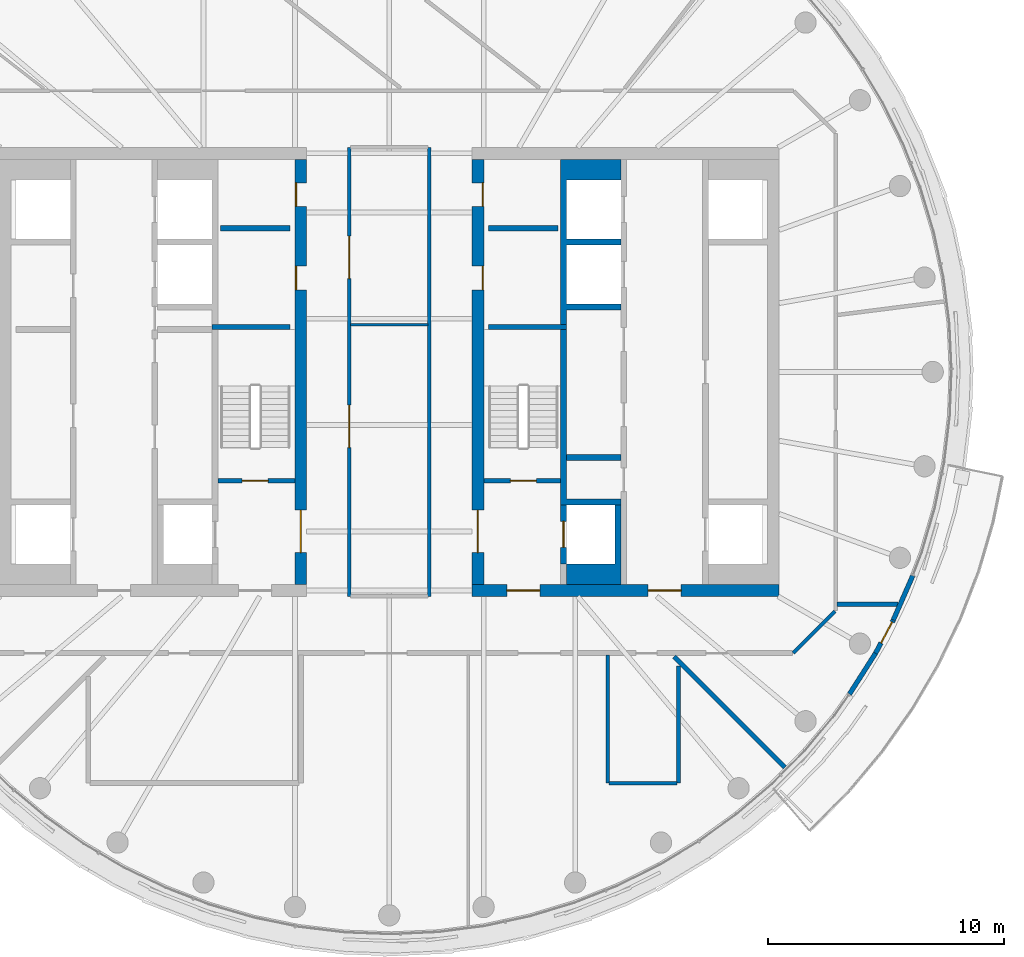
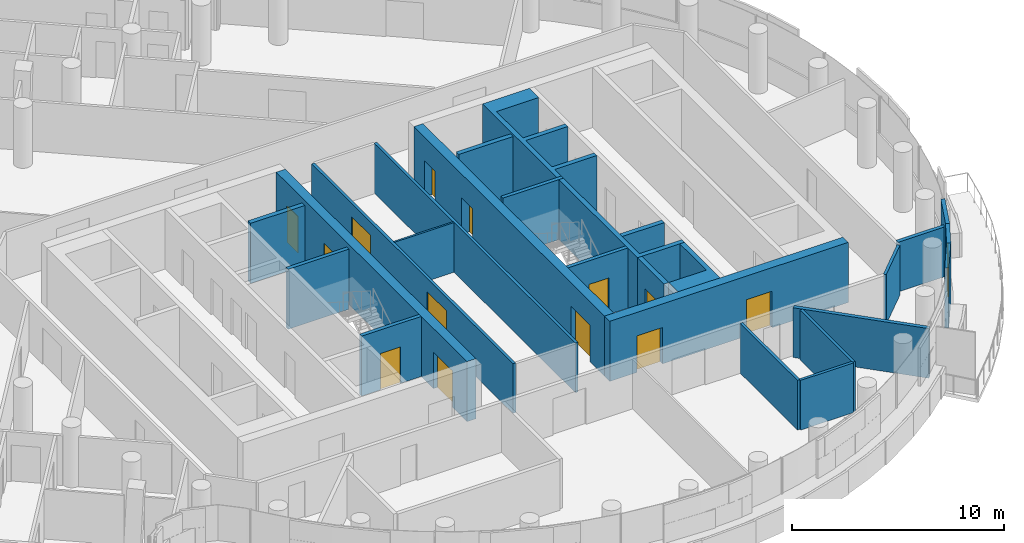
# One storey, part 18 of 26: 25 walls, 14 doors, 14 openings.
"""IFC4 building model written with IfcOpenShell, lengths in metres."""

from ifc_helpers import new_model, si_unit, direction, frame, frame_2d, origin, place, context, subcontext, project, spatial, polyline, rectangle, outline, extrude, material, layer, layer_set, type_object, element, fill, save


model = new_model("IFC4")

# Units and contexts
model_context = context("Model", 3, precision=1e-05, world=origin(), true_north=direction((0.0, 1.0)))
body_context = subcontext(model_context, "Body", "Model", "MODEL_VIEW")
ifc_project = project(units=[si_unit("LENGTHUNIT", "METRE"), si_unit("AREAUNIT", "SQUARE_METRE"), si_unit("VOLUMEUNIT", "CUBIC_METRE"), si_unit("PLANEANGLEUNIT", "RADIAN"), si_unit("MASSUNIT", "GRAM", prefix="KILO")], contexts=[model_context])

# Site, building, storey
site_placement = place(None, origin())
site = spatial("IfcSite", under=ifc_project, at=site_placement, CompositionType="ELEMENT")
building_placement = place(site_placement, origin())
building = spatial("IfcBuilding", under=site, at=building_placement, Name="Tamarind Cross Interchange Tower", CompositionType="ELEMENT")
storey_placement = place(building_placement, frame((0.0, 0.0, 223.5)))
storey = spatial("IfcBuildingStorey", under=building, at=storey_placement, Name="L56", CompositionType="ELEMENT", Elevation=223.5)

# Walls
ifc_material_1 = material(Name="Concrete C40", Category="concrete")
ifc_layer_1 = layer(ifc_material_1, 0.199951171875)
ifc_layer_set_1 = layer_set([ifc_layer_1], Name="Concrete C40")
wall_type_1 = type_object("IfcWallType", Name="Balcony and garden door wall", PredefinedType="SOLIDWALL", material=ifc_layer_set_1)
for number, where, z_axis, x_axis, name in (
    (1, (19.4755859375, -13.6376953125, 0.0), (0.0, 0.0, 1.0), (0.537977797601, 0.842959008071, 0.0), "EXW-L56-02-D11L"),
    (2, (21.331298828125, -10.501220703125, 0.0), (0.0, 0.0, 1.0), (0.402431086407, 0.915450283026, 0.0), "EXW-L56-02-D11R"),
):
    element("IfcWall", number, at=place(storey_placement, frame(where, z_axis=z_axis, x_axis=x_axis)), inside=storey, type_object=wall_type_1, Name=name, PredefinedType="SOLIDWALL", context=body_context, shape_type="SweptSolid", body=[
        extrude(rectangle(XDim=2.048583984375, YDim=0.199951171875, at=frame_2d((1.0244140625, 0.0))), origin(), (0.0, 0.0, 1.0), 3.4599609375),
    ])

# Wall, opening, door
wall_1_placement = place(storey_placement, frame((20.57763671875, -11.910888671875, 0.0), z_axis=(0.0, 0.0, 1.0), x_axis=(0.471483774062, 0.881874736454, 0.0)))
wall_1 = element("IfcWall", 3, at=wall_1_placement, inside=storey, type_object=wall_type_1, Name="EXW-L56-02-D11", PredefinedType="SOLIDWALL", context=body_context, shape_type="SweptSolid", body=[
    extrude(rectangle(XDim=1.598388671875, YDim=0.199951171875, at=frame_2d((0.79931640625, 0.0))), origin(), (0.0, 0.0, 1.0), 3.4599609375),
])
opening_1_placement = place(wall_1_placement, frame((0.5, 0.0, 0.0)))
opening_1 = element("IfcOpeningElement", 4, at=opening_1_placement, cuts=wall_1, Name="Opening D2", PredefinedType="OPENING", context=body_context, shape_type="SweptSolid", body=[
    extrude(rectangle(XDim=1.0, YDim=2.39990234375, at=frame_2d((0.5, 1.199951171875))), frame((0.0, 0.10986328125, 0.0), z_axis=(0.0, -1.0, 0.0), x_axis=(1.0, 0.0, 0.0)), (0.0, 0.0, 1.0), 0.219970703125),
])
ifc_material_2 = material(Name="Aluminium and toughened glass", Category="aluminium")
door_type_1 = type_object("IfcDoorType", Name="Balcony and garden door", OperationType="SINGLE_SWING_LEFT", PredefinedType="DOOR", material=ifc_material_2)
door_1_placement = place(opening_1_placement, origin())
door_1 = element("IfcDoor", 5, at=door_1_placement, inside=storey, type_object=door_type_1, Name="DOR-L56-02-11", OperationType="SINGLE_SWING_LEFT", OverallHeight=2.39990234375, OverallWidth=1.0, PredefinedType="DOOR", context=body_context, shape_type="SweptSolid", body=[
    extrude(rectangle(XDim=1.0, YDim=2.39990234375, at=frame_2d((0.5, 1.199951171875))), frame((0.0, 0.02490234375, 0.0), z_axis=(0.0, -1.0, 0.0), x_axis=(1.0, 0.0, 0.0)), (0.0, 0.0, 1.0), 0.050048828125),
])
fill(opening_1, door_1)

# Wall, openings, doors
ifc_material_3 = material(Name="Concrete C50", Category="concrete")
ifc_layer_2 = layer(ifc_material_3, 0.5)
ifc_layer_set_2 = layer_set([ifc_layer_2], Name="Concrete C50")
wall_type_2 = type_object("IfcWallType", Name="Core wall 500 mm Concrete C50", PredefinedType="SHEAR", material=ifc_layer_set_2)
wall_2_placement = place(storey_placement, frame((-3.75, -9.0, 0.0), z_axis=(0.0, 0.0, 1.0), x_axis=(0.0, 1.0, 0.0)))
wall_2 = element("IfcWall", 6, at=wall_2_placement, inside=storey, type_object=wall_type_2, Name="Core wall CWL-L56-W-IN", PredefinedType="SHEAR", context=body_context, shape_type="SweptSolid", body=[
    extrude(rectangle(XDim=18.0, YDim=0.5, at=frame_2d((9.0, 0.0))), origin(), (0.0, 0.0, 1.0), 3.4599609375),
])
opening_2_placement = place(wall_2_placement, frame((1.35009765625, 0.0, 0.0)))
opening_2 = element("IfcOpeningElement", 7, at=opening_2_placement, cuts=wall_2, Name="Opening DCW4", PredefinedType="OPENING", context=body_context, shape_type="SweptSolid", body=[
    extrude(rectangle(XDim=1.800048828125, YDim=2.10009765625, at=frame_2d((0.89990234375, 1.050048828125))), frame((0.0, 0.260009765625, 0.0), z_axis=(0.0, -1.0, 0.0), x_axis=(1.0, 0.0, 0.0)), (0.0, 0.0, 1.0), 0.52001953125),
])
opening_3_placement = place(wall_2_placement, frame((12.4775390625, 0.0, 0.0)))
opening_3 = element("IfcOpeningElement", 8, at=opening_3_placement, cuts=wall_2, Name="Opening DCW5", PredefinedType="OPENING", context=body_context, shape_type="SweptSolid", body=[
    extrude(rectangle(XDim=1.0, YDim=2.10009765625, at=frame_2d((0.5, 1.050048828125))), frame((0.0, 0.260009765625, 0.0), z_axis=(0.0, -1.0, 0.0), x_axis=(1.0, 0.0, 0.0)), (0.0, 0.0, 1.0), 0.52001953125),
])
opening_4_placement = place(wall_2_placement, frame((16.00244140625, 0.0, 0.0)))
opening_4 = element("IfcOpeningElement", 9, at=opening_4_placement, cuts=wall_2, Name="Opening DCW5", PredefinedType="OPENING", context=body_context, shape_type="SweptSolid", body=[
    extrude(rectangle(XDim=1.0, YDim=2.10009765625, at=frame_2d((0.5, 1.050048828125))), frame((0.0, 0.260009765625, 0.0), z_axis=(0.0, -1.0, 0.0), x_axis=(1.0, 0.0, 0.0)), (0.0, 0.0, 1.0), 0.52001953125),
])
ifc_material_4 = material(Name="Steel, fire-resisting", Category="steel")
door_type_2 = type_object("IfcDoorType", Name="Core fire door 1000 x 2100 FD90", OperationType="SINGLE_SWING_LEFT", PredefinedType="DOOR", material=ifc_material_4)
door_2_placement = place(opening_3_placement, origin())
door_2 = element("IfcDoor", 10, at=door_2_placement, inside=storey, type_object=door_type_2, Name="L56 housekeeping pantry door", OperationType="SINGLE_SWING_LEFT", OverallHeight=2.10009765625, OverallWidth=1.0, PredefinedType="DOOR", context=body_context, shape_type="SweptSolid", body=[
    extrude(rectangle(XDim=1.0, YDim=2.10009765625, at=frame_2d((0.5, 1.050048828125))), frame((0.0, 0.22509765625, 0.0), z_axis=(0.0, -1.0, 0.0), x_axis=(1.0, 0.0, 0.0)), (0.0, 0.0, 1.0), 0.050048828125),
])
fill(opening_3, door_2)
door_3_placement = place(opening_4_placement, origin())
door_3 = element("IfcDoor", 11, at=door_3_placement, inside=storey, type_object=door_type_2, Name="L56 linen press door", OperationType="SINGLE_SWING_LEFT", OverallHeight=2.10009765625, OverallWidth=1.0, PredefinedType="DOOR", context=body_context, shape_type="SweptSolid", body=[
    extrude(rectangle(XDim=1.0, YDim=2.10009765625, at=frame_2d((0.5, 1.050048828125))), frame((0.0, 0.22509765625, 0.0), z_axis=(0.0, -1.0, 0.0), x_axis=(1.0, 0.0, 0.0)), (0.0, 0.0, 1.0), 0.050048828125),
])
fill(opening_4, door_3)
door_type_3 = type_object("IfcDoorType", Name="Core fire door 1800 x 2100 FD90", OperationType="SINGLE_SWING_LEFT", PredefinedType="DOOR", material=ifc_material_4)
door_4_placement = place(opening_2_placement, origin())
door_4 = element("IfcDoor", 12, at=door_4_placement, inside=storey, type_object=door_type_3, Name="L56 firefighting lobby door", OperationType="SINGLE_SWING_LEFT", OverallHeight=2.10009765625, OverallWidth=1.800048828125, PredefinedType="DOOR", context=body_context, shape_type="SweptSolid", body=[
    extrude(rectangle(XDim=1.800048828125, YDim=2.10009765625, at=frame_2d((0.89990234375, 1.050048828125))), frame((0.0, 0.02490234375, 0.0), z_axis=(0.0, -1.0, 0.0), x_axis=(1.0, 0.0, 0.0)), (0.0, 0.0, 1.0), 0.050048828125),
])
fill(opening_2, door_4)

wall_3_placement = place(storey_placement, frame((16.5, -9.25, 0.0), z_axis=(0.0, 0.0, 1.0), x_axis=(-1.0, 0.0, 0.0)))
wall_3 = element("IfcWall", 13, at=wall_3_placement, inside=storey, type_object=wall_type_2, Name="Core wall CWL-L56-E-S", PredefinedType="SHEAR", context=body_context, shape_type="SweptSolid", body=[
    extrude(rectangle(XDim=13.0, YDim=0.5, at=frame_2d((6.5, 0.0))), origin(), (0.0, 0.0, 1.0), 3.4599609375),
])
opening_5_placement = place(wall_3_placement, frame((4.14990234375, 0.0, 0.0)))
opening_5 = element("IfcOpeningElement", 14, at=opening_5_placement, cuts=wall_3, Name="Opening DCE1", PredefinedType="OPENING", context=body_context, shape_type="SweptSolid", body=[
    extrude(rectangle(XDim=1.39990234375, YDim=2.10009765625, at=frame_2d((0.699951171875, 1.050048828125))), frame((0.0, 0.260009765625, 0.0), z_axis=(0.0, -1.0, 0.0), x_axis=(1.0, 0.0, 0.0)), (0.0, 0.0, 1.0), 0.52001953125),
])
opening_6_placement = place(wall_3_placement, frame((10.125, 0.0, 0.0)))
opening_6 = element("IfcOpeningElement", 15, at=opening_6_placement, cuts=wall_3, Name="Opening DCEF", PredefinedType="OPENING", context=body_context, shape_type="SweptSolid", body=[
    extrude(rectangle(XDim=1.39990234375, YDim=2.10009765625, at=frame_2d((0.699951171875, 1.050048828125))), frame((0.0, 0.260009765625, 0.0), z_axis=(0.0, -1.0, 0.0), x_axis=(1.0, 0.0, 0.0)), (0.0, 0.0, 1.0), 0.52001953125),
])
door_type_4 = type_object("IfcDoorType", Name="Core fire door 1400 x 2100 FD90", OperationType="SINGLE_SWING_LEFT", PredefinedType="DOOR", material=ifc_material_4)
door_5_placement = place(opening_5_placement, origin())
door_5 = element("IfcDoor", 16, at=door_5_placement, inside=storey, type_object=door_type_4, Name="L56 lift lobby door", OperationType="SINGLE_SWING_LEFT", OverallHeight=2.10009765625, OverallWidth=1.39990234375, PredefinedType="DOOR", context=body_context, shape_type="SweptSolid", body=[
    extrude(rectangle(XDim=1.39990234375, YDim=2.10009765625, at=frame_2d((0.699951171875, 1.050048828125))), frame((0.0, 0.02490234375, 0.0), z_axis=(0.0, -1.0, 0.0), x_axis=(1.0, 0.0, 0.0)), (0.0, 0.0, 1.0), 0.050048828125),
])
fill(opening_5, door_5)
door_6_placement = place(opening_6_placement, origin())
door_6 = element("IfcDoor", 17, at=door_6_placement, inside=storey, type_object=door_type_4, Name="L56 firefighting lobby end door", OperationType="SINGLE_SWING_LEFT", OverallHeight=2.10009765625, OverallWidth=1.39990234375, PredefinedType="DOOR", context=body_context, shape_type="SweptSolid", body=[
    extrude(rectangle(XDim=1.39990234375, YDim=2.10009765625, at=frame_2d((0.699951171875, 1.050048828125))), frame((0.0, 0.02490234375, 0.0), z_axis=(0.0, -1.0, 0.0), x_axis=(1.0, 0.0, 0.0)), (0.0, 0.0, 1.0), 0.050048828125),
])
fill(opening_6, door_6)

wall_4_placement = place(storey_placement, frame((3.75, -9.0, 0.0), z_axis=(0.0, 0.0, 1.0), x_axis=(0.0, 1.0, 0.0)))
wall_4 = element("IfcWall", 18, at=wall_4_placement, inside=storey, type_object=wall_type_2, Name="Core wall CWL-L56-E-IN", PredefinedType="SHEAR", context=body_context, shape_type="SweptSolid", body=[
    extrude(rectangle(XDim=18.0, YDim=0.5, at=frame_2d((9.0, 0.0))), origin(), (0.0, 0.0, 1.0), 3.4599609375),
])
opening_7_placement = place(wall_4_placement, frame((1.35009765625, 0.0, 0.0)))
opening_7 = element("IfcOpeningElement", 19, at=opening_7_placement, cuts=wall_4, Name="Opening DCE4", PredefinedType="OPENING", context=body_context, shape_type="SweptSolid", body=[
    extrude(rectangle(XDim=1.800048828125, YDim=2.10009765625, at=frame_2d((0.89990234375, 1.050048828125))), frame((0.0, 0.260009765625, 0.0), z_axis=(0.0, -1.0, 0.0), x_axis=(1.0, 0.0, 0.0)), (0.0, 0.0, 1.0), 0.52001953125),
])
opening_8_placement = place(wall_4_placement, frame((12.4775390625, 0.0, 0.0)))
opening_8 = element("IfcOpeningElement", 20, at=opening_8_placement, cuts=wall_4, Name="Opening DCE5", PredefinedType="OPENING", context=body_context, shape_type="SweptSolid", body=[
    extrude(rectangle(XDim=1.0, YDim=2.10009765625, at=frame_2d((0.5, 1.050048828125))), frame((0.0, 0.260009765625, 0.0), z_axis=(0.0, -1.0, 0.0), x_axis=(1.0, 0.0, 0.0)), (0.0, 0.0, 1.0), 0.52001953125),
])
opening_9_placement = place(wall_4_placement, frame((16.00244140625, 0.0, 0.0)))
opening_9 = element("IfcOpeningElement", 21, at=opening_9_placement, cuts=wall_4, Name="Opening DCE5", PredefinedType="OPENING", context=body_context, shape_type="SweptSolid", body=[
    extrude(rectangle(XDim=1.0, YDim=2.10009765625, at=frame_2d((0.5, 1.050048828125))), frame((0.0, 0.260009765625, 0.0), z_axis=(0.0, -1.0, 0.0), x_axis=(1.0, 0.0, 0.0)), (0.0, 0.0, 1.0), 0.52001953125),
])
door_7_placement = place(opening_8_placement, origin())
door_7 = element("IfcDoor", 22, at=door_7_placement, inside=storey, type_object=door_type_2, Name="L56 housekeeping pantry door", OperationType="SINGLE_SWING_LEFT", OverallHeight=2.10009765625, OverallWidth=1.0, PredefinedType="DOOR", context=body_context, shape_type="SweptSolid", body=[
    extrude(rectangle(XDim=1.0, YDim=2.10009765625, at=frame_2d((0.5, 1.050048828125))), frame((0.0, -0.1748046875, 0.0), z_axis=(0.0, -1.0, 0.0), x_axis=(1.0, 0.0, 0.0)), (0.0, 0.0, 1.0), 0.050048828125),
])
fill(opening_8, door_7)
door_8_placement = place(opening_9_placement, origin())
door_8 = element("IfcDoor", 23, at=door_8_placement, inside=storey, type_object=door_type_2, Name="L56 linen press door", OperationType="SINGLE_SWING_LEFT", OverallHeight=2.10009765625, OverallWidth=1.0, PredefinedType="DOOR", context=body_context, shape_type="SweptSolid", body=[
    extrude(rectangle(XDim=1.0, YDim=2.10009765625, at=frame_2d((0.5, 1.050048828125))), frame((0.0, -0.1748046875, 0.0), z_axis=(0.0, -1.0, 0.0), x_axis=(1.0, 0.0, 0.0)), (0.0, 0.0, 1.0), 0.050048828125),
])
fill(opening_9, door_8)
door_9_placement = place(opening_7_placement, origin())
door_9 = element("IfcDoor", 24, at=door_9_placement, inside=storey, type_object=door_type_3, Name="L56 firefighting lobby door", OperationType="SINGLE_SWING_LEFT", OverallHeight=2.10009765625, OverallWidth=1.800048828125, PredefinedType="DOOR", context=body_context, shape_type="SweptSolid", body=[
    extrude(rectangle(XDim=1.800048828125, YDim=2.10009765625, at=frame_2d((0.89990234375, 1.050048828125))), frame((0.0, 0.02490234375, 0.0), z_axis=(0.0, -1.0, 0.0), x_axis=(1.0, 0.0, 0.0)), (0.0, 0.0, 1.0), 0.050048828125),
])
fill(opening_7, door_9)

# Walls
ifc_layer_3 = layer(ifc_material_3, 0.199951171875)
ifc_layer_set_3 = layer_set([ifc_layer_3], Name="Concrete C50")
wall_type_3 = type_object("IfcWallType", Name="Core web wall 200 mm Concrete C50", PredefinedType="SHEAR", material=ifc_layer_set_3)
for number, where, z_axis, x_axis, name in (
    (25, (-7.5, 1.89990234375, 0.0), (0.0, 0.0, 1.0), (1.0, 0.0, 0.0), "Core wall CWL-L56-W-BD"),
    (26, (7.5, 1.89990234375, 0.0), (0.0, 0.0, 1.0), (-1.0, 0.0, 0.0), "Core wall CWL-L56-E-BD"),
):
    element("IfcWall", number, at=place(storey_placement, frame(where, z_axis=z_axis, x_axis=x_axis)), inside=storey, type_object=wall_type_3, Name=name, PredefinedType="SHEAR", context=body_context, shape_type="SweptSolid", body=[
        extrude(rectangle(XDim=3.300048828125, YDim=0.199951171875, at=frame_2d((1.64990234375, 0.0))), origin(), (0.0, 0.0, 1.0), 3.4599609375),
    ])
ifc_layer_4 = layer(ifc_material_3, 0.25)
ifc_layer_set_4 = layer_set([ifc_layer_4], Name="Concrete C50")
wall_type_4 = type_object("IfcWallType", Name="Core web wall 250 mm Concrete C50", PredefinedType="SHEAR", material=ifc_layer_set_4)
wall_5_placement = place(storey_placement, origin())
element("IfcWall", 27, at=wall_5_placement, inside=storey, type_object=wall_type_4, Name="Core wall CWL-L56-E-BN", PredefinedType="SHEAR", context=body_context, shape_type="SweptSolid", body=[
    extrude(outline(polyline([(9.800048828125, -5.375), (7.5, -5.375), (7.5, 2.625), (9.800048828125, 2.625), (9.800048828125, 2.875), (7.5, 2.875), (7.5, 5.375), (9.800048828125, 5.375), (9.800048828125, 5.625), (7.5, 5.625), (7.5, 8.125), (9.800048828125, 8.125), (9.800048828125, 9.0), (7.5, 9.0), (7.25, 9.0), (7.25, -5.625), (7.5, -5.625), (9.800048828125, -5.625), (9.800048828125, -5.375)])), origin(), (0.0, 0.0, 1.0), 3.4599609375),
])
wall_6_placement = place(storey_placement, origin())
element("IfcWall", 28, at=wall_6_placement, inside=storey, type_object=wall_type_4, Name="Core wall CWL-L56-E-BS", PredefinedType="SHEAR", context=body_context, shape_type="SweptSolid", body=[
    extrude(outline(polyline([(7.5, -8.125), (7.5, -9.0), (9.800048828125, -9.0), (9.800048828125, -8.125), (9.800048828125, -5.625), (9.550048828125, -5.625), (9.550048828125, -8.125), (7.5, -8.125)])), origin(), (0.0, 0.0, 1.0), 3.4599609375),
])

# Wall, opening, door
wall_7_placement = place(storey_placement, frame((7.375, -8.125, 0.0), z_axis=(0.0, 0.0, 1.0), x_axis=(0.0, 1.0, 0.0)))
wall_7 = element("IfcWall", 29, at=wall_7_placement, inside=storey, type_object=wall_type_4, Name="Core wall CWL-L56-E-FF", PredefinedType="SHEAR", context=body_context, shape_type="SweptSolid", body=[
    extrude(rectangle(XDim=2.5, YDim=0.25, at=frame_2d((1.25, 0.0))), origin(), (0.0, 0.0, 1.0), 3.4599609375),
])
opening_10_placement = place(wall_7_placement, frame((0.699951171875, 0.0, 0.0)))
opening_10 = element("IfcOpeningElement", 30, at=opening_10_placement, cuts=wall_7, Name="Opening LD19L56", PredefinedType="OPENING", context=body_context, shape_type="SweptSolid", body=[
    extrude(rectangle(XDim=1.10009765625, YDim=2.10009765625, at=frame_2d((0.550048828125, 1.050048828125))), frame((0.0, 0.135009765625, 0.0), z_axis=(0.0, -1.0, 0.0), x_axis=(1.0, 0.0, 0.0)), (0.0, 0.0, 1.0), 0.27001953125),
])
ifc_material_5 = material(Name="Stainless steel panel", Category="steel")
door_type_5 = type_object("IfcDoorType", Name="Lift landing door 1100 x 2100 E 120", OperationType="SLIDING_TO_LEFT", PredefinedType="DOOR", material=ifc_material_5)
door_10_placement = place(opening_10_placement, origin())
door_10 = element("IfcDoor", 31, at=door_10_placement, inside=storey, type_object=door_type_5, Name="L56 landing door LF19", OperationType="SLIDING_TO_LEFT", OverallHeight=2.10009765625, OverallWidth=1.10009765625, PredefinedType="DOOR", context=body_context, shape_type="SweptSolid", body=[
    extrude(rectangle(XDim=1.10009765625, YDim=2.10009765625, at=frame_2d((0.550048828125, 1.050048828125))), frame((0.0, 0.02490234375, 0.0), z_axis=(0.0, -1.0, 0.0), x_axis=(1.0, 0.0, 0.0)), (0.0, 0.0, 1.0), 0.050048828125),
])
fill(opening_10, door_10)

# Walls
ifc_material_6 = material(Name="Gypsum board partition on steel studs", Category="steel")
ifc_layer_5 = layer(ifc_material_6, 0.10009765625)
ifc_layer_set_5 = layer_set([ifc_layer_5], Name="Gypsum board partition on steel studs")
wall_type_5 = type_object("IfcWallType", Name="Partition 100 mm EI 120", PredefinedType="PARTITIONING", material=ifc_layer_set_5)
wall_8_placement = place(storey_placement, frame((-1.639892578125, 2.0, 0.0), z_axis=(0.0, 0.0, 1.0), x_axis=(1.0, 0.0, 0.0)))
element("IfcWall", 32, at=wall_8_placement, inside=storey, type_object=wall_type_5, Name="Partition L56-028", PredefinedType="PARTITIONING", context=body_context, shape_type="SweptSolid", body=[
    extrude(rectangle(XDim=3.27978515625, YDim=0.10009765625, at=frame_2d((1.639892578125, 0.0))), origin(), (0.0, 0.0, 1.0), 2.864013671875),
])
ifc_layer_6 = layer(ifc_material_6, 0.14990234375)
ifc_layer_set_6 = layer_set([ifc_layer_6], Name="Gypsum board partition on steel studs")
wall_type_6 = type_object("IfcWallType", Name="Partition 150 mm EI 120", PredefinedType="PARTITIONING", material=ifc_layer_set_6)
wall_9_placement = place(storey_placement, frame((9.2958984375, -17.39990234375, 0.0), z_axis=(0.0, 0.0, 1.0), x_axis=(1.0, 0.0, 0.0)))
element("IfcWall", 33, at=wall_9_placement, inside=storey, type_object=wall_type_6, Name="Partition L56-026", PredefinedType="PARTITIONING", context=body_context, shape_type="SweptSolid", body=[
    extrude(rectangle(XDim=2.89013671875, YDim=0.14990234375, at=frame_2d((1.445068359375, 0.0))), origin(), (0.0, 0.0, 1.0), 2.864013671875),
])
wall_10_placement = place(storey_placement, frame((17.10009765625, -11.89990234375, 0.0), z_axis=(0.0, 0.0, 1.0), x_axis=(0.707106781187, 0.707106781187, 0.0)))
element("IfcWall", 34, at=wall_10_placement, inside=storey, type_object=wall_type_6, Name="Partition L56-034", PredefinedType="PARTITIONING", context=body_context, shape_type="SweptSolid", body=[
    extrude(rectangle(XDim=2.50537109375, YDim=0.14990234375, at=frame_2d((1.252685546875, 0.0))), origin(), (0.0, 0.0, 1.0), 2.864013671875),
])

# Wall, openings, doors
wall_11_placement = place(storey_placement, frame((-1.699951171875, -9.5, 0.0), z_axis=(0.0, 0.0, 1.0), x_axis=(0.0, 1.0, 0.0)))
wall_11 = element("IfcWall", 35, at=wall_11_placement, inside=storey, type_object=wall_type_6, Name="Partition L56-056", PredefinedType="PARTITIONING", context=body_context, shape_type="SweptSolid", body=[
    extrude(rectangle(XDim=19.0, YDim=0.14990234375, at=frame_2d((9.5, 0.0))), origin(), (0.0, 0.0, 1.0), 2.864013671875),
])
opening_11_placement = place(wall_11_placement, frame((6.300048828125, 0.0, 0.0)))
opening_11 = element("IfcOpeningElement", 36, at=opening_11_placement, cuts=wall_11, Name="Opening D31", PredefinedType="OPENING", context=body_context, shape_type="SweptSolid", body=[
    extrude(rectangle(XDim=1.800048828125, YDim=2.10009765625, at=frame_2d((0.89990234375, 1.050048828125))), frame((0.0, 0.0849609375, 0.0), z_axis=(0.0, -1.0, 0.0), x_axis=(1.0, 0.0, 0.0)), (0.0, 0.0, 1.0), 0.169921875),
])
opening_12_placement = place(wall_11_placement, frame((13.449951171875, 0.0, 0.0)))
opening_12 = element("IfcOpeningElement", 37, at=opening_12_placement, cuts=wall_11, Name="Opening D32", PredefinedType="OPENING", context=body_context, shape_type="SweptSolid", body=[
    extrude(rectangle(XDim=1.800048828125, YDim=2.10009765625, at=frame_2d((0.89990234375, 1.050048828125))), frame((0.0, 0.0849609375, 0.0), z_axis=(0.0, -1.0, 0.0), x_axis=(1.0, 0.0, 0.0)), (0.0, 0.0, 1.0), 0.169921875),
])
ifc_material_7 = material(Name="Fire-resisting door set")
door_type_6 = type_object("IfcDoorType", Name="Interior door 1800 x 2100 FD60S", OperationType="DOUBLE_DOOR_SINGLE_SWING", PredefinedType="DOOR", material=ifc_material_7)
door_11_placement = place(opening_11_placement, frame((1.800048828125, 0.0, 0.0), z_axis=(0.0, 0.0, 1.0), x_axis=(-1.0, 0.0, 0.0)))
door_11 = element("IfcDoor", 38, at=door_11_placement, inside=storey, type_object=door_type_6, Name="Door D31", OperationType="DOUBLE_DOOR_SINGLE_SWING", OverallHeight=2.10009765625, OverallWidth=1.800048828125, PredefinedType="DOOR", context=body_context, shape_type="SweptSolid", body=[
    extrude(rectangle(XDim=1.800048828125, YDim=2.10009765625, at=frame_2d((0.89990234375, 1.050048828125))), frame((0.0, 0.02490234375, 0.0), z_axis=(0.0, -1.0, 0.0), x_axis=(1.0, 0.0, 0.0)), (0.0, 0.0, 1.0), 0.050048828125),
])
fill(opening_11, door_11)
door_12_placement = place(opening_12_placement, frame((1.800048828125, 0.0, 0.0), z_axis=(0.0, 0.0, 1.0), x_axis=(-1.0, 0.0, 0.0)))
door_12 = element("IfcDoor", 39, at=door_12_placement, inside=storey, type_object=door_type_6, Name="Door D32", OperationType="DOUBLE_DOOR_SINGLE_SWING", OverallHeight=2.10009765625, OverallWidth=1.800048828125, PredefinedType="DOOR", context=body_context, shape_type="SweptSolid", body=[
    extrude(rectangle(XDim=1.800048828125, YDim=2.10009765625, at=frame_2d((0.89990234375, 1.050048828125))), frame((0.0, 0.02490234375, 0.0), z_axis=(0.0, -1.0, 0.0), x_axis=(1.0, 0.0, 0.0)), (0.0, 0.0, 1.0), 0.050048828125),
])
fill(opening_12, door_12)

# Walls
wall_12_placement = place(storey_placement, frame((1.699951171875, -9.5, 0.0), z_axis=(0.0, 0.0, 1.0), x_axis=(0.0, 1.0, 0.0)))
element("IfcWall", 40, at=wall_12_placement, inside=storey, type_object=wall_type_6, Name="Partition L56-057", PredefinedType="PARTITIONING", context=body_context, shape_type="SweptSolid", body=[
    extrude(rectangle(XDim=19.0, YDim=0.14990234375, at=frame_2d((9.5, 0.0))), origin(), (0.0, 0.0, 1.0), 2.864013671875),
])
wall_13_placement = place(storey_placement, frame((9.240966796875, -17.39990234375, 0.0), z_axis=(0.0, 0.0, 1.0), x_axis=(0.0, 1.0, 0.0)))
element("IfcWall", 41, at=wall_13_placement, inside=storey, type_object=wall_type_6, Name="Partition L56-059", PredefinedType="PARTITIONING", context=body_context, shape_type="SweptSolid", body=[
    extrude(rectangle(XDim=5.419921875, YDim=0.14990234375, at=frame_2d((2.7099609375, 0.0))), origin(), (0.0, 0.0, 1.0), 2.864013671875),
])
wall_14_placement = place(storey_placement, frame((12.240966796875, -17.39990234375, 0.0), z_axis=(0.0, 0.0, 1.0), x_axis=(0.0, 1.0, 0.0)))
element("IfcWall", 42, at=wall_14_placement, inside=storey, type_object=wall_type_6, Name="Partition L56-060", PredefinedType="PARTITIONING", context=body_context, shape_type="SweptSolid", body=[
    extrude(rectangle(XDim=4.958984375, YDim=0.14990234375, at=frame_2d((2.4794921875, 0.0))), origin(), (0.0, 0.0, 1.0), 2.864013671875),
])
ifc_layer_7 = layer(ifc_material_6, 0.199951171875)
ifc_layer_set_7 = layer_set([ifc_layer_7], Name="Gypsum board partition on steel studs")
wall_type_7 = type_object("IfcWallType", Name="Partition 200 mm EI 180", PredefinedType="PARTITIONING", material=ifc_layer_set_7)
wall_15_placement = place(storey_placement, frame((12.052001953125, -12.052001953125, 0.0), z_axis=(0.0, 0.0, 1.0), x_axis=(0.707106781187, -0.707106781187, 0.0)))
element("IfcWall", 43, at=wall_15_placement, inside=storey, type_object=wall_type_7, Name="Partition L56-002", PredefinedType="PARTITIONING", context=body_context, shape_type="SweptSolid", body=[
    extrude(rectangle(XDim=6.630615234375, YDim=0.199951171875, at=frame_2d((3.3154296875, 0.0))), origin(), (0.0, 0.0, 1.0), 2.864013671875),
])
wall_16_placement = place(storey_placement, frame((18.955078125, -9.8369140625, 0.0), z_axis=(0.0, 0.0, 1.0), x_axis=(1.0, 0.0, 0.0)))
element("IfcWall", 44, at=wall_16_placement, inside=storey, type_object=wall_type_7, Name="Partition L56-030", PredefinedType="PARTITIONING", context=body_context, shape_type="SweptSolid", body=[
    extrude(rectangle(XDim=2.585205078125, YDim=0.199951171875, at=frame_2d((1.29248046875, 0.0))), origin(), (0.0, 0.0, 1.0), 2.864013671875),
])
ifc_layer_8 = layer(ifc_material_1, 0.25)
ifc_layer_set_8 = layer_set([ifc_layer_8], Name="Concrete C40")
wall_type_8 = type_object("IfcWallType", Name="Shaft and lobby wall 250 mm Concrete C40", PredefinedType="PARTITIONING", material=ifc_layer_set_8)
for number, where, z_axis, x_axis, name in (
    (45, (-7.14990234375, 6.080078125, 0.0), (0.0, 0.0, 1.0), (1.0, 0.0, 0.0), "Shaft wall CWL-L56-W-SVP"),
    (46, (7.14990234375, 6.080078125, 0.0), (0.0, 0.0, 1.0), (-1.0, 0.0, 0.0), "Shaft wall CWL-L56-E-SVP"),
):
    element("IfcWall", number, at=place(storey_placement, frame(where, z_axis=z_axis, x_axis=x_axis)), inside=storey, type_object=wall_type_8, Name=name, PredefinedType="PARTITIONING", context=body_context, shape_type="SweptSolid", body=[
        extrude(rectangle(XDim=2.949951171875, YDim=0.25, at=frame_2d((1.47509765625, 0.0))), origin(), (0.0, 0.0, 1.0), 3.4599609375),
    ])
wall_17_placement = place(storey_placement, frame((9.800048828125, -3.625, 0.0), z_axis=(0.0, 0.0, 1.0), x_axis=(-1.0, 0.0, 0.0)))
element("IfcWall", 47, at=wall_17_placement, inside=storey, type_object=wall_type_8, Name="Shaft wall CWL-L56-E-FPB1", PredefinedType="PARTITIONING", context=body_context, shape_type="SweptSolid", body=[
    extrude(rectangle(XDim=2.300048828125, YDim=0.25, at=frame_2d((1.14990234375, 0.0))), origin(), (0.0, 0.0, 1.0), 3.4599609375),
])

# Wall, opening, door
ifc_layer_9 = layer(ifc_material_1, 0.199951171875)
ifc_layer_set_9 = layer_set([ifc_layer_9], Name="Concrete C40")
wall_type_9 = type_object("IfcWallType", Name="Stair shaft wall 200 mm Concrete C40", PredefinedType="SHEAR", material=ifc_layer_set_9)
wall_18_placement = place(storey_placement, frame((-7.25, -4.60009765625, 0.0), z_axis=(0.0, 0.0, 1.0), x_axis=(1.0, 0.0, 0.0)))
wall_18 = element("IfcWall", 48, at=wall_18_placement, inside=storey, type_object=wall_type_9, Name="Core wall CWL-L56-W-SD", PredefinedType="SHEAR", context=body_context, shape_type="SweptSolid", body=[
    extrude(rectangle(XDim=3.25, YDim=0.199951171875, at=frame_2d((1.625, 0.0))), origin(), (0.0, 0.0, 1.0), 3.4599609375),
])
opening_13_placement = place(wall_18_placement, frame((1.02490234375, 0.0, 0.0)))
opening_13 = element("IfcOpeningElement", 49, at=opening_13_placement, cuts=wall_18, Name="Opening DCW6", PredefinedType="OPENING", context=body_context, shape_type="SweptSolid", body=[
    extrude(rectangle(XDim=1.10009765625, YDim=2.10009765625, at=frame_2d((0.550048828125, 1.050048828125))), frame((0.0, 0.10986328125, 0.0), z_axis=(0.0, -1.0, 0.0), x_axis=(1.0, 0.0, 0.0)), (0.0, 0.0, 1.0), 0.219970703125),
])
door_type_7 = type_object("IfcDoorType", Name="Core fire door 1100 x 2100 FD90", OperationType="SINGLE_SWING_LEFT", PredefinedType="DOOR", material=ifc_material_4)
door_13_placement = place(opening_13_placement, origin())
door_13 = element("IfcDoor", 50, at=door_13_placement, inside=storey, type_object=door_type_7, Name="L56 stair door", OperationType="SINGLE_SWING_LEFT", OverallHeight=2.10009765625, OverallWidth=1.10009765625, PredefinedType="DOOR", context=body_context, shape_type="SweptSolid", body=[
    extrude(rectangle(XDim=1.10009765625, YDim=2.10009765625, at=frame_2d((0.550048828125, 1.050048828125))), frame((0.0, 0.02490234375, 0.0), z_axis=(0.0, -1.0, 0.0), x_axis=(1.0, 0.0, 0.0)), (0.0, 0.0, 1.0), 0.050048828125),
])
fill(opening_13, door_13)

wall_19_placement = place(storey_placement, frame((7.25, -4.60009765625, 0.0), z_axis=(0.0, 0.0, 1.0), x_axis=(-1.0, 0.0, 0.0)))
wall_19 = element("IfcWall", 51, at=wall_19_placement, inside=storey, type_object=wall_type_9, Name="Core wall CWL-L56-E-SD", PredefinedType="SHEAR", context=body_context, shape_type="SweptSolid", body=[
    extrude(rectangle(XDim=3.25, YDim=0.199951171875, at=frame_2d((1.625, 0.0))), origin(), (0.0, 0.0, 1.0), 3.4599609375),
])
opening_14_placement = place(wall_19_placement, frame((1.02490234375, 0.0, 0.0)))
opening_14 = element("IfcOpeningElement", 52, at=opening_14_placement, cuts=wall_19, Name="Opening DCE6", PredefinedType="OPENING", context=body_context, shape_type="SweptSolid", body=[
    extrude(rectangle(XDim=1.10009765625, YDim=2.10009765625, at=frame_2d((0.550048828125, 1.050048828125))), frame((0.0, 0.10986328125, 0.0), z_axis=(0.0, -1.0, 0.0), x_axis=(1.0, 0.0, 0.0)), (0.0, 0.0, 1.0), 0.219970703125),
])
door_14_placement = place(opening_14_placement, origin())
door_14 = element("IfcDoor", 53, at=door_14_placement, inside=storey, type_object=door_type_7, Name="L56 stair door", OperationType="SINGLE_SWING_LEFT", OverallHeight=2.10009765625, OverallWidth=1.10009765625, PredefinedType="DOOR", context=body_context, shape_type="SweptSolid", body=[
    extrude(rectangle(XDim=1.10009765625, YDim=2.10009765625, at=frame_2d((0.550048828125, 1.050048828125))), frame((0.0, 0.02490234375, 0.0), z_axis=(0.0, -1.0, 0.0), x_axis=(1.0, 0.0, 0.0)), (0.0, 0.0, 1.0), 0.050048828125),
])
fill(opening_14, door_14)

save(model, "model.ifc")
